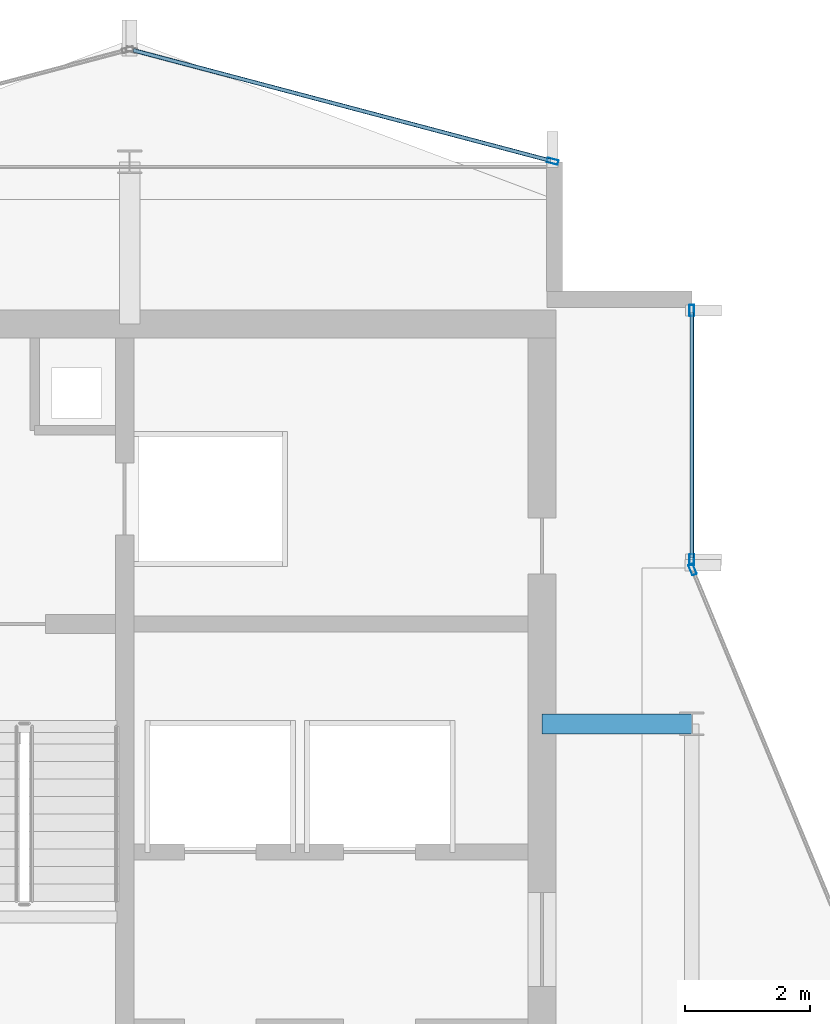
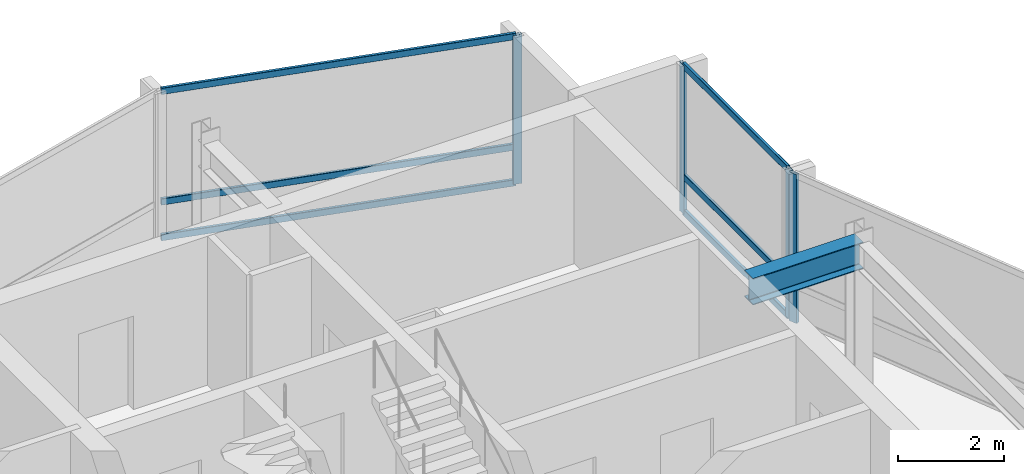
# One storey, part 12 of 19: 10 members, 1 beam, 3 elements without a shape of their own.
"""IFC4 building model written with IfcOpenShell, lengths in metres."""

from ifc_helpers import new_model, si_unit, direction, frame, origin, origin_2d, place, context, subcontext, project, spatial, hollow_rectangle, i_section, extrude, material, layer, layer_set, material_profile, profile_set, type_object, element, aggregate, save


model = new_model("IFC4")

# Units and contexts
model_context = context("Model", 3, precision=1e-05, world=origin(), true_north=direction((0.0, 1.0)))
body_context = subcontext(model_context, "Body", "Model", "MODEL_VIEW")
ifc_project = project(units=[si_unit("LENGTHUNIT", "METRE"), si_unit("AREAUNIT", "SQUARE_METRE"), si_unit("VOLUMEUNIT", "CUBIC_METRE"), si_unit("PLANEANGLEUNIT", "RADIAN"), si_unit("MASSUNIT", "GRAM", prefix="KILO")], contexts=[model_context])

# Site, building, storey
site_placement = place(None, origin())
site = spatial("IfcSite", under=ifc_project, at=site_placement, CompositionType="ELEMENT")
building_placement = place(site_placement, origin())
building = spatial("IfcBuilding", under=site, at=building_placement, Name="Solvaryn Broadcast Tower", CompositionType="ELEMENT")
storey_placement = place(building_placement, frame((0.0, 0.0, 274.10009765625)))
storey = spatial("IfcBuildingStorey", under=building, at=storey_placement, Name="L69", CompositionType="ELEMENT", Elevation=274.10009765625)

# Beam
ifc_material_1 = material(Name="Steel ASTM A992 Grade 50", Category="steel")
ifc_material_profile_1 = material_profile(ifc_material_1, i_section(OverallWidth=0.323974609375, OverallDepth=0.611083984375, WebThickness=0.0126953125, FlangeThickness=0.01904296875, FilletRadius=0.014892578125, at=origin_2d()))
ifc_profile_set_1 = profile_set([ifc_material_profile_1], Name="Steel ASTM A992 Grade 50")
beam_type = type_object("IfcBeamType", Name="BM-B1-W24X104", PredefinedType="BEAM", material=ifc_profile_set_1)
beam_placement = place(storey_placement, frame((24.60009765625, 36.0, 3.114501953125), z_axis=(1.0, 0.0, 0.0), x_axis=(0.0, 1.0, 0.0)))
element("IfcBeam", 1, at=beam_placement, inside=storey, type_object=beam_type, Name="L69 Core Tie Beam CTW2", PredefinedType="BEAM", context=body_context, shape_type="SweptSolid", body=[
    extrude(i_section(OverallWidth=0.323974609375, OverallDepth=0.611083984375, WebThickness=0.0126953125, FlangeThickness=0.01904296875, FilletRadius=0.014892578125, at=origin_2d()), origin(), (0.0, 0.0, 1.0), 2.39990234375),
])

# Curtain wall, members
ifc_material_2 = material(Name="Aluminium and Terracotta Unitised Curtain Wall", Category="masonry")
ifc_layer = layer(ifc_material_2, 0.199951171875)
ifc_layer_set = layer_set([ifc_layer], Name="CW-SYS2-LOWMID")
curtain_wall_type = type_object("IfcCurtainWallType", Name="CW-SYS2-LOWMID", PredefinedType="NOTDEFINED", material=ifc_layer_set)
curtain_wall_1_placement = place(storey_placement, origin())
curtain_wall_1 = element("IfcCurtainWall", 2, at=curtain_wall_1_placement, inside=storey, type_object=curtain_wall_type, Name="L69 Curtain Wall IV", PredefinedType="NOTDEFINED")
ifc_material_3 = material(Name="Anodised Aluminium 6063-T6", Category="aluminium")
ifc_material_profile_2 = material_profile(ifc_material_3, hollow_rectangle(XDim=0.074951171875, YDim=0.179931640625, WallThickness=0.00390625, InnerFilletRadius=0.00390625, OuterFilletRadius=0.008056640625, at=origin_2d()))
ifc_profile_set_2 = profile_set([ifc_material_profile_2], Name="Anodised Aluminium 6063-T6")
member_type_1 = type_object("IfcMemberType", Name="CW-MUL-180", PredefinedType="MULLION", material=ifc_profile_set_2)
member_1_placement = place(storey_placement, frame((27.0, 42.6201171875, 0.0), z_axis=(0.0, 0.0, 1.0), x_axis=(1.0, 0.0, 0.0)))
member_1 = element("IfcMember", 3, at=member_1_placement, type_object=member_type_1, Name="CWS2 mullion 1", PredefinedType="MULLION", context=body_context, shape_type="SweptSolid", body=[
    extrude(hollow_rectangle(XDim=0.074951171875, YDim=0.179931640625, WallThickness=0.00390625, InnerFilletRadius=0.00390625, OuterFilletRadius=0.008056640625, at=origin_2d()), origin(), (0.0, 0.0, 1.0), 3.419921875),
])
member_2_placement = place(storey_placement, frame((27.0, 38.6298828125, 0.0), z_axis=(0.0, 0.0, 1.0), x_axis=(1.0, 0.0, 0.0)))
member_2 = element("IfcMember", 4, at=member_2_placement, type_object=member_type_1, Name="CWS2 mullion 2", PredefinedType="MULLION", context=body_context, shape_type="SweptSolid", body=[
    extrude(hollow_rectangle(XDim=0.074951171875, YDim=0.179931640625, WallThickness=0.00390625, InnerFilletRadius=0.00390625, OuterFilletRadius=0.008056640625, at=origin_2d()), origin(), (0.0, 0.0, 1.0), 3.419921875),
])

# Curtain wall, member
curtain_wall_2_placement = place(storey_placement, origin())
curtain_wall_2 = element("IfcCurtainWall", 5, at=curtain_wall_2_placement, inside=storey, type_object=curtain_wall_type, Name="L69 Curtain Wall CN2", PredefinedType="NOTDEFINED")
member_3_placement = place(storey_placement, frame((27.011474609375, 38.47216796875, 0.0), z_axis=(0.0, 0.0, 1.0), x_axis=(-0.923894983957, -0.382646127145, 0.0)))
member_3 = element("IfcMember", 6, at=member_3_placement, type_object=member_type_1, Name="CWS2 mullion 2", PredefinedType="MULLION", context=body_context, shape_type="SweptSolid", body=[
    extrude(hollow_rectangle(XDim=0.074951171875, YDim=0.179931640625, WallThickness=0.00390625, InnerFilletRadius=0.00390625, OuterFilletRadius=0.008056640625, at=origin_2d()), origin(), (0.0, 0.0, 1.0), 3.419921875),
])
aggregate(curtain_wall_2, [member_3])

curtain_wall_3_placement = place(storey_placement, origin())
curtain_wall_3 = element("IfcCurtainWall", 7, at=curtain_wall_3_placement, inside=storey, type_object=curtain_wall_type, Name="L69 Curtain Wall NT1", PredefinedType="NOTDEFINED")
member_4_placement = place(storey_placement, frame((24.77099609375, 45.007568359375, 0.0), z_axis=(0.0, 0.0, 1.0), x_axis=(-0.25589256031, -0.966705227863, 0.0)))
member_4 = element("IfcMember", 8, at=member_4_placement, type_object=member_type_1, Name="CWS2 mullion 1", PredefinedType="MULLION", context=body_context, shape_type="SweptSolid", body=[
    extrude(hollow_rectangle(XDim=0.074951171875, YDim=0.179931640625, WallThickness=0.00390625, InnerFilletRadius=0.00390625, OuterFilletRadius=0.008056640625, at=origin_2d()), origin(), (0.0, 0.0, 1.0), 3.419921875),
])

# Member
ifc_material_4 = material(Name="Anodised Aluminium 6063-T6", Category="aluminium")
ifc_material_profile_3 = material_profile(ifc_material_4, hollow_rectangle(XDim=0.06494140625, YDim=0.14990234375, WallThickness=0.00390625, InnerFilletRadius=0.00390625, OuterFilletRadius=0.008056640625, at=origin_2d()))
ifc_profile_set_3 = profile_set([ifc_material_profile_3], Name="Anodised Aluminium 6063-T6")
member_type_2 = type_object("IfcMemberType", Name="CW-TRN-150", PredefinedType="USERDEFINED", material=ifc_profile_set_3)
member_5_placement = place(storey_placement, frame((27.0, 42.590087890625, 0.02978515625), z_axis=(0.0, -1.0, 0.0), x_axis=(1.0, 0.0, 0.0)))
member_5 = element("IfcMember", 9, at=member_5_placement, type_object=member_type_2, Name="CWS2 transom 1.1", ObjectType="TRANSOM", PredefinedType="USERDEFINED", context=body_context, shape_type="SweptSolid", body=[
    extrude(hollow_rectangle(XDim=0.06494140625, YDim=0.14990234375, WallThickness=0.00390625, InnerFilletRadius=0.00390625, OuterFilletRadius=0.008056640625, at=origin_2d()), origin(), (0.0, 0.0, 1.0), 3.93017578125),
])

member_6_placement = place(storey_placement, frame((27.0, 42.590087890625, 0.849853515625), z_axis=(0.0, -1.0, 0.0), x_axis=(1.0, 0.0, 0.0)))
member_6 = element("IfcMember", 10, at=member_6_placement, type_object=member_type_2, Name="CWS2 transom 1.2", ObjectType="TRANSOM", PredefinedType="USERDEFINED", context=body_context, shape_type="SweptSolid", body=[
    extrude(hollow_rectangle(XDim=0.06494140625, YDim=0.14990234375, WallThickness=0.00390625, InnerFilletRadius=0.00390625, OuterFilletRadius=0.008056640625, at=origin_2d()), origin(), (0.0, 0.0, 1.0), 3.93017578125),
])

member_7_placement = place(storey_placement, frame((27.0, 42.590087890625, 3.389892578125), z_axis=(0.0, -1.0, 0.0), x_axis=(1.0, 0.0, 0.0)))
member_7 = element("IfcMember", 11, at=member_7_placement, type_object=member_type_2, Name="CWS2 transom 1.3", ObjectType="TRANSOM", PredefinedType="USERDEFINED", context=body_context, shape_type="SweptSolid", body=[
    extrude(hollow_rectangle(XDim=0.06494140625, YDim=0.14990234375, WallThickness=0.00390625, InnerFilletRadius=0.00390625, OuterFilletRadius=0.008056640625, at=origin_2d()), origin(), (0.0, 0.0, 1.0), 3.93017578125),
])

aggregate(curtain_wall_1, [member_1, member_2, member_5, member_6, member_7])

member_8_placement = place(storey_placement, frame((24.741943359375, 45.015380859375, 0.02978515625), z_axis=(-0.966703943301, 0.255897413051, 0.0), x_axis=(-0.255897413051, -0.966703943301, 0.0)))
member_8 = element("IfcMember", 12, at=member_8_placement, type_object=member_type_2, Name="CWS2 transom 1.1", ObjectType="TRANSOM", PredefinedType="USERDEFINED", context=body_context, shape_type="SweptSolid", body=[
    extrude(hollow_rectangle(XDim=0.06494140625, YDim=0.14990234375, WallThickness=0.00390625, InnerFilletRadius=0.00390625, OuterFilletRadius=0.008056640625, at=origin_2d()), origin(), (0.0, 0.0, 1.0), 6.9140625),
])

member_9_placement = place(storey_placement, frame((24.741943359375, 45.015380859375, 0.849853515625), z_axis=(-0.966703943301, 0.255897413051, 0.0), x_axis=(-0.255897413051, -0.966703943301, 0.0)))
member_9 = element("IfcMember", 13, at=member_9_placement, type_object=member_type_2, Name="CWS2 transom 1.2", ObjectType="TRANSOM", PredefinedType="USERDEFINED", context=body_context, shape_type="SweptSolid", body=[
    extrude(hollow_rectangle(XDim=0.06494140625, YDim=0.14990234375, WallThickness=0.00390625, InnerFilletRadius=0.00390625, OuterFilletRadius=0.008056640625, at=origin_2d()), origin(), (0.0, 0.0, 1.0), 6.9140625),
])

member_10_placement = place(storey_placement, frame((24.741943359375, 45.015380859375, 3.389892578125), z_axis=(-0.966703943301, 0.255897413051, 0.0), x_axis=(-0.255897413051, -0.966703943301, 0.0)))
member_10 = element("IfcMember", 14, at=member_10_placement, type_object=member_type_2, Name="CWS2 transom 1.3", ObjectType="TRANSOM", PredefinedType="USERDEFINED", context=body_context, shape_type="SweptSolid", body=[
    extrude(hollow_rectangle(XDim=0.06494140625, YDim=0.14990234375, WallThickness=0.00390625, InnerFilletRadius=0.00390625, OuterFilletRadius=0.008056640625, at=origin_2d()), origin(), (0.0, 0.0, 1.0), 6.9140625),
])

aggregate(curtain_wall_3, [member_4, member_8, member_9, member_10])

save(model, "model.ifc")
